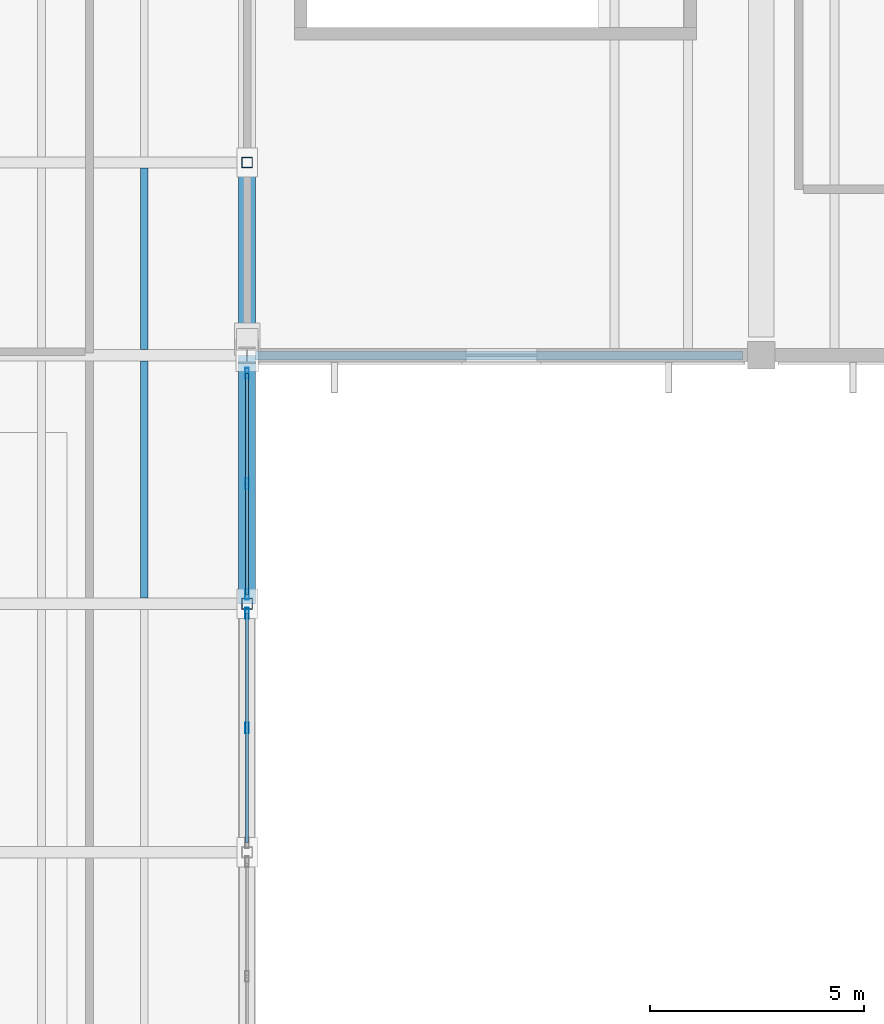
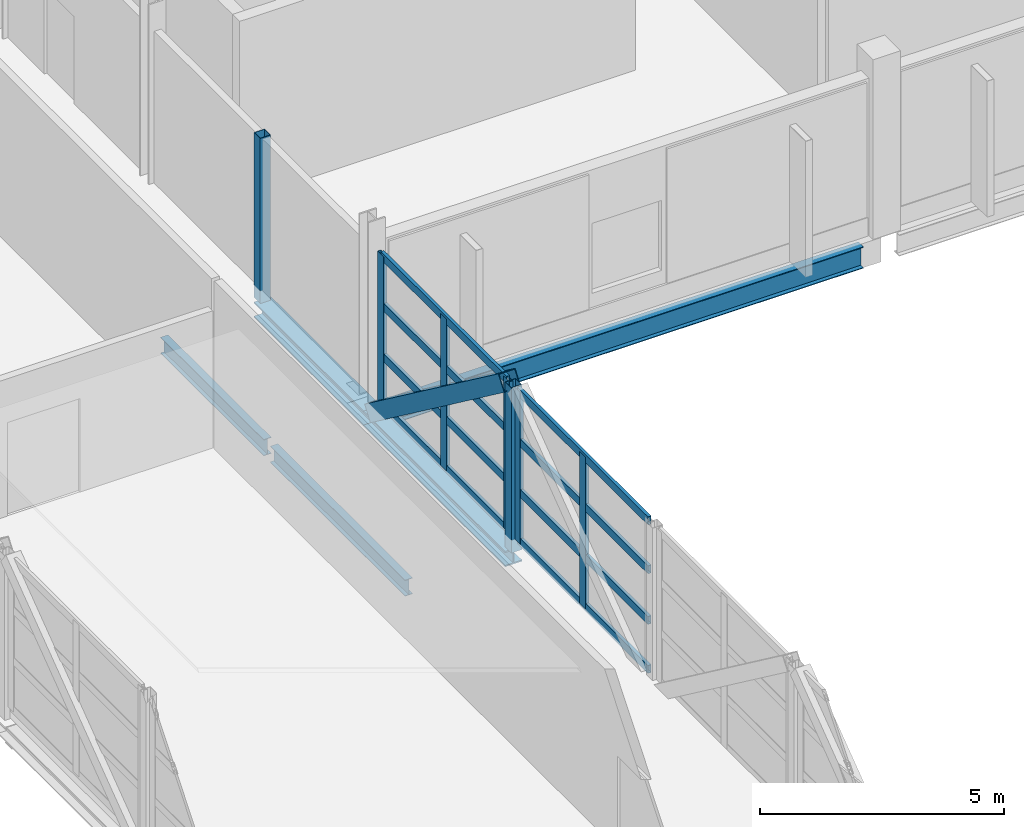
# One storey, part 35 of 63: 16 members, 5 beams, 2 elements without a shape of their own.
"""IFC4 building model written with IfcOpenShell, lengths in metres."""

from ifc_helpers import new_model, si_unit, direction, frame, origin, origin_2d, place, context, subcontext, project, spatial, hollow_rectangle, i_section, extrude, material, material_profile, profile_set, type_object, element, aggregate, save


model = new_model("IFC4")

# Units and contexts
model_context = context("Model", 3, precision=1e-05, world=origin(), true_north=direction((0.0, 1.0)))
body_context = subcontext(model_context, "Body", "Model", "MODEL_VIEW")
ifc_project = project(units=[si_unit("LENGTHUNIT", "METRE"), si_unit("AREAUNIT", "SQUARE_METRE"), si_unit("VOLUMEUNIT", "CUBIC_METRE"), si_unit("PLANEANGLEUNIT", "RADIAN"), si_unit("MASSUNIT", "GRAM", prefix="KILO")], contexts=[model_context])

# Site, building, storey
site_placement = place(None, origin())
site = spatial("IfcSite", under=ifc_project, at=site_placement, CompositionType="ELEMENT")
building_placement = place(site_placement, origin())
building = spatial("IfcBuilding", under=site, at=building_placement, Name="Kelmvaro Bay Concert Hall", CompositionType="ELEMENT")
storey_placement = place(building_placement, frame((0.0, 0.0, 13.800048828125)))
storey = spatial("IfcBuildingStorey", under=building, at=storey_placement, Name="L03", CompositionType="ELEMENT", Elevation=13.800048828125)

# Beams
ifc_material_1 = material(Name="Steel ASTM A992 Grade 50", Category="steel")
ifc_material_profile_1 = material_profile(ifc_material_1, i_section(OverallWidth=0.177978515625, OverallDepth=0.406005859375, WebThickness=0.0078125, FlangeThickness=0.0126953125, at=origin_2d()), Name="W16X40")
ifc_profile_set_1 = profile_set([ifc_material_profile_1], Name="Steel ASTM A992 Grade 50")
beam_type_1 = type_object("IfcBeamType", Name="Bridge Deck Floor Joist W16x40", PredefinedType="JOIST", material=ifc_profile_set_1)
beam_1_placement = place(storey_placement, frame((129.60009765625, 68.133544921875, -0.532958984375), z_axis=(0.0, 1.0, 0.0), x_axis=(-1.0, 0.0, 0.0)))
element("IfcBeam", 1, at=beam_1_placement, inside=storey, type_object=beam_type_1, Name="Bridge Deck Joist L03-14", PredefinedType="JOIST", context=body_context, shape_type="SweptSolid", body=[
    extrude(i_section(OverallWidth=0.177978515625, OverallDepth=0.406005859375, WebThickness=0.0078125, FlangeThickness=0.0126953125, at=origin_2d()), origin(), (0.0, 0.0, 1.0), 5.532958984375),
])
beam_2_placement = place(storey_placement, frame((129.60009765625, 73.93359375, -0.532958984375), z_axis=(0.0, 1.0, 0.0), x_axis=(-1.0, 0.0, 0.0)))
element("IfcBeam", 2, at=beam_2_placement, inside=storey, type_object=beam_type_1, Name="Bridge Deck Joist L03-15", PredefinedType="JOIST", context=body_context, shape_type="SweptSolid", body=[
    extrude(i_section(OverallWidth=0.177978515625, OverallDepth=0.406005859375, WebThickness=0.0078125, FlangeThickness=0.0126953125, at=origin_2d()), origin(), (0.0, 0.0, 1.0), 4.23291015625),
])

# Member
ifc_material_2 = material(Name="Steel ASTM A500 Grade C", Category="steel")
ifc_material_profile_2 = material_profile(ifc_material_2, hollow_rectangle(XDim=0.39990234375, YDim=0.39990234375, WallThickness=0.01611328125, at=origin_2d()), Name="HSS400X400X16")
ifc_profile_set_2 = profile_set([ifc_material_profile_2], Name="Steel ASTM A500 Grade C")
member_type_1 = type_object("IfcMemberType", Name="Bridge Heavy Web Diagonal HSS400x400x16", PredefinedType="BRACE", material=ifc_profile_set_2)
member_1_placement = place(storey_placement, frame((132.0, 68.1591796875, 3.78662109375), z_axis=(0.0, 0.802031459951, -0.597281790488), x_axis=(-1.0, 0.0, 0.0)))
element("IfcMember", 3, at=member_1_placement, inside=storey, type_object=member_type_1, Name="Bridge Truss E Web Diagonal 14", PredefinedType="BRACE", context=body_context, shape_type="SweptSolid", body=[
    extrude(hollow_rectangle(XDim=0.39990234375, YDim=0.39990234375, WallThickness=0.01611328125, at=origin_2d()), origin(), (0.0, 0.0, 1.0), 6.834716796875),
])

# Curtain wall, members
ifc_material_3 = material(Name="Anodised Aluminium and Low-E Insulated Glazing", Category="aluminium")
curtain_wall_type = type_object("IfcCurtainWallType", Name="Rehearsal Bridge Truss Curtain Wall 4020", PredefinedType="USERDEFINED", material=ifc_material_3)
curtain_wall_1_placement = place(storey_placement, origin())
curtain_wall_1 = element("IfcCurtainWall", 4, at=curtain_wall_1_placement, inside=storey, type_object=curtain_wall_type, Name="Unitised Curtain Wall CW-BRG-E13", ObjectType="UNITISED GLAZING", PredefinedType="USERDEFINED")
ifc_material_4 = material(Name="Anodised Extruded Aluminium 6063-T6", Category="aluminium")
ifc_material_profile_3 = material_profile(ifc_material_4, hollow_rectangle(XDim=0.080078125, YDim=0.25, WallThickness=0.005615234375, at=origin_2d()), Name="ALU-MUL-250X80")
ifc_profile_set_3 = profile_set([ifc_material_profile_3], Name="Anodised Extruded Aluminium 6063-T6")
member_type_2 = type_object("IfcMemberType", Name="Bridge Hurricane Mullion ALU 250x80", PredefinedType="MULLION", material=ifc_profile_set_3)
member_2_placement = place(storey_placement, frame((132.0, 67.780029296875, 0.0), z_axis=(0.0, 0.0, 1.0), x_axis=(1.0, 0.0, 0.0)))
member_2 = element("IfcMember", 5, at=member_2_placement, type_object=member_type_2, Name="CW-BRG-E13 Mullion 01", PredefinedType="MULLION", context=body_context, shape_type="SweptSolid", body=[
    extrude(hollow_rectangle(XDim=0.080078125, YDim=0.25, WallThickness=0.005615234375, at=origin_2d()), origin(), (0.0, 0.0, 1.0), 3.800048828125),
])
member_3_placement = place(storey_placement, frame((132.0, 65.10009765625, 0.0), z_axis=(0.0, 0.0, 1.0), x_axis=(1.0, 0.0, 0.0)))
member_3 = element("IfcMember", 6, at=member_3_placement, type_object=member_type_2, Name="CW-BRG-E13 Mullion 02", PredefinedType="MULLION", context=body_context, shape_type="SweptSolid", body=[
    extrude(hollow_rectangle(XDim=0.080078125, YDim=0.25, WallThickness=0.005615234375, at=origin_2d()), origin(), (0.0, 0.0, 1.0), 3.800048828125),
])

curtain_wall_2_placement = place(storey_placement, origin())
curtain_wall_2 = element("IfcCurtainWall", 7, at=curtain_wall_2_placement, inside=storey, type_object=curtain_wall_type, Name="Unitised Curtain Wall CW-BRG-E14", ObjectType="UNITISED GLAZING", PredefinedType="USERDEFINED")
member_4_placement = place(storey_placement, frame((132.0, 73.3798828125, 0.0), z_axis=(0.0, 0.0, 1.0), x_axis=(1.0, 0.0, 0.0)))
member_4 = element("IfcMember", 8, at=member_4_placement, type_object=member_type_2, Name="CW-BRG-E14 Mullion 01", PredefinedType="MULLION", context=body_context, shape_type="SweptSolid", body=[
    extrude(hollow_rectangle(XDim=0.080078125, YDim=0.25, WallThickness=0.005615234375, at=origin_2d()), origin(), (0.0, 0.0, 1.0), 3.800048828125),
])
member_5_placement = place(storey_placement, frame((132.0, 70.800048828125, 0.0), z_axis=(0.0, 0.0, 1.0), x_axis=(1.0, 0.0, 0.0)))
member_5 = element("IfcMember", 9, at=member_5_placement, type_object=member_type_2, Name="CW-BRG-E14 Mullion 02", PredefinedType="MULLION", context=body_context, shape_type="SweptSolid", body=[
    extrude(hollow_rectangle(XDim=0.080078125, YDim=0.25, WallThickness=0.005615234375, at=origin_2d()), origin(), (0.0, 0.0, 1.0), 3.800048828125),
])
member_6_placement = place(storey_placement, frame((132.0, 68.219970703125, 0.0), z_axis=(0.0, 0.0, 1.0), x_axis=(1.0, 0.0, 0.0)))
member_6 = element("IfcMember", 10, at=member_6_placement, type_object=member_type_2, Name="CW-BRG-E14 Mullion 03", PredefinedType="MULLION", context=body_context, shape_type="SweptSolid", body=[
    extrude(hollow_rectangle(XDim=0.080078125, YDim=0.25, WallThickness=0.005615234375, at=origin_2d()), origin(), (0.0, 0.0, 1.0), 3.800048828125),
])

# Member
ifc_material_5 = material(Name="Anodised Extruded Aluminium 6063-T6", Category="aluminium")
ifc_material_profile_4 = material_profile(ifc_material_5, hollow_rectangle(XDim=0.074951171875, YDim=0.199951171875, WallThickness=0.0048828125, at=origin_2d()), Name="ALU-TRN-200X75")
ifc_profile_set_4 = profile_set([ifc_material_profile_4], Name="Anodised Extruded Aluminium 6063-T6")
member_type_3 = type_object("IfcMemberType", Name="Bridge Hurricane Transom ALU 200x75", PredefinedType="USERDEFINED", material=ifc_profile_set_4)
member_7_placement = place(storey_placement, frame((132.0, 67.780029296875, 0.0400390625), z_axis=(0.0, -1.0, 0.0), x_axis=(1.0, 0.0, 0.0)))
member_7 = element("IfcMember", 11, at=member_7_placement, type_object=member_type_3, Name="CW-BRG-E13 Transom 01", ObjectType="TRANSOM", PredefinedType="USERDEFINED", context=body_context, shape_type="SweptSolid", body=[
    extrude(hollow_rectangle(XDim=0.074951171875, YDim=0.199951171875, WallThickness=0.0048828125, at=origin_2d()), origin(), (0.0, 0.0, 1.0), 5.360107421875),
])

member_8_placement = place(storey_placement, frame((132.0, 67.780029296875, 1.2666015625), z_axis=(0.0, -1.0, 0.0), x_axis=(1.0, 0.0, 0.0)))
member_8 = element("IfcMember", 12, at=member_8_placement, type_object=member_type_3, Name="CW-BRG-E13 Transom 02", ObjectType="TRANSOM", PredefinedType="USERDEFINED", context=body_context, shape_type="SweptSolid", body=[
    extrude(hollow_rectangle(XDim=0.074951171875, YDim=0.199951171875, WallThickness=0.0048828125, at=origin_2d()), origin(), (0.0, 0.0, 1.0), 5.360107421875),
])

member_9_placement = place(storey_placement, frame((132.0, 67.780029296875, 2.533203125), z_axis=(0.0, -1.0, 0.0), x_axis=(1.0, 0.0, 0.0)))
member_9 = element("IfcMember", 13, at=member_9_placement, type_object=member_type_3, Name="CW-BRG-E13 Transom 03", ObjectType="TRANSOM", PredefinedType="USERDEFINED", context=body_context, shape_type="SweptSolid", body=[
    extrude(hollow_rectangle(XDim=0.074951171875, YDim=0.199951171875, WallThickness=0.0048828125, at=origin_2d()), origin(), (0.0, 0.0, 1.0), 5.360107421875),
])

member_10_placement = place(storey_placement, frame((132.0, 67.780029296875, 3.760009765625), z_axis=(0.0, -1.0, 0.0), x_axis=(1.0, 0.0, 0.0)))
member_10 = element("IfcMember", 14, at=member_10_placement, type_object=member_type_3, Name="CW-BRG-E13 Transom 04", ObjectType="TRANSOM", PredefinedType="USERDEFINED", context=body_context, shape_type="SweptSolid", body=[
    extrude(hollow_rectangle(XDim=0.074951171875, YDim=0.199951171875, WallThickness=0.0048828125, at=origin_2d()), origin(), (0.0, 0.0, 1.0), 5.360107421875),
])

aggregate(curtain_wall_1, [member_2, member_3, member_7, member_8, member_9, member_10])

member_11_placement = place(storey_placement, frame((132.0, 73.3798828125, 0.0400390625), z_axis=(0.0, -1.0, 0.0), x_axis=(1.0, 0.0, 0.0)))
member_11 = element("IfcMember", 15, at=member_11_placement, type_object=member_type_3, Name="CW-BRG-E14 Transom 01", ObjectType="TRANSOM", PredefinedType="USERDEFINED", context=body_context, shape_type="SweptSolid", body=[
    extrude(hollow_rectangle(XDim=0.074951171875, YDim=0.199951171875, WallThickness=0.0048828125, at=origin_2d()), origin(), (0.0, 0.0, 1.0), 5.159912109375),
])

member_12_placement = place(storey_placement, frame((132.0, 73.3798828125, 1.2666015625), z_axis=(0.0, -1.0, 0.0), x_axis=(1.0, 0.0, 0.0)))
member_12 = element("IfcMember", 16, at=member_12_placement, type_object=member_type_3, Name="CW-BRG-E14 Transom 02", ObjectType="TRANSOM", PredefinedType="USERDEFINED", context=body_context, shape_type="SweptSolid", body=[
    extrude(hollow_rectangle(XDim=0.074951171875, YDim=0.199951171875, WallThickness=0.0048828125, at=origin_2d()), origin(), (0.0, 0.0, 1.0), 5.159912109375),
])

member_13_placement = place(storey_placement, frame((132.0, 73.3798828125, 2.533203125), z_axis=(0.0, -1.0, 0.0), x_axis=(1.0, 0.0, 0.0)))
member_13 = element("IfcMember", 17, at=member_13_placement, type_object=member_type_3, Name="CW-BRG-E14 Transom 03", ObjectType="TRANSOM", PredefinedType="USERDEFINED", context=body_context, shape_type="SweptSolid", body=[
    extrude(hollow_rectangle(XDim=0.074951171875, YDim=0.199951171875, WallThickness=0.0048828125, at=origin_2d()), origin(), (0.0, 0.0, 1.0), 5.159912109375),
])

member_14_placement = place(storey_placement, frame((132.0, 73.3798828125, 3.760009765625), z_axis=(0.0, -1.0, 0.0), x_axis=(1.0, 0.0, 0.0)))
member_14 = element("IfcMember", 18, at=member_14_placement, type_object=member_type_3, Name="CW-BRG-E14 Transom 04", ObjectType="TRANSOM", PredefinedType="USERDEFINED", context=body_context, shape_type="SweptSolid", body=[
    extrude(hollow_rectangle(XDim=0.074951171875, YDim=0.199951171875, WallThickness=0.0048828125, at=origin_2d()), origin(), (0.0, 0.0, 1.0), 5.159912109375),
])

aggregate(curtain_wall_2, [member_4, member_5, member_6, member_11, member_12, member_13, member_14])

# Beams
ifc_material_6 = material(Name="Steel ASTM A992 Grade 50", Category="steel")
ifc_material_profile_5 = material_profile(ifc_material_6, i_section(OverallWidth=0.39892578125, OverallDepth=0.385986328125, WebThickness=0.02099609375, FlangeThickness=0.033203125, at=origin_2d()), Name="W14X176")
ifc_profile_set_5 = profile_set([ifc_material_profile_5], Name="Steel ASTM A992 Grade 50")
beam_type_2 = type_object("IfcBeamType", Name="Bridge Truss Bottom Chord W14x176", PredefinedType="BEAM", material=ifc_profile_set_5)
beam_3_placement = place(storey_placement, frame((132.0, 68.0, -0.52294921875), z_axis=(0.0, 1.0, 0.0), x_axis=(-1.0, 0.0, 0.0)))
element("IfcBeam", 19, at=beam_3_placement, inside=storey, type_object=beam_type_2, Name="Bridge Truss E Bottom Chord 14", PredefinedType="BEAM", context=body_context, shape_type="SweptSolid", body=[
    extrude(i_section(OverallWidth=0.39892578125, OverallDepth=0.385986328125, WebThickness=0.02099609375, FlangeThickness=0.033203125, at=origin_2d()), origin(), (0.0, 0.0, 1.0), 5.800048828125),
])
beam_4_placement = place(storey_placement, frame((132.0, 73.800048828125, -0.52294921875), z_axis=(0.0, 1.0, 0.0), x_axis=(-1.0, 0.0, 0.0)))
element("IfcBeam", 20, at=beam_4_placement, inside=storey, type_object=beam_type_2, Name="Bridge Truss E Bottom Chord 15", PredefinedType="BEAM", context=body_context, shape_type="SweptSolid", body=[
    extrude(i_section(OverallWidth=0.39892578125, OverallDepth=0.385986328125, WebThickness=0.02099609375, FlangeThickness=0.033203125, at=origin_2d()), origin(), (0.0, 0.0, 1.0), 4.5),
])

# Members
ifc_material_7 = material(Name="Steel ASTM A500 Grade C", Category="steel")
ifc_material_profile_6 = material_profile(ifc_material_7, hollow_rectangle(XDim=0.25, YDim=0.25, WallThickness=0.010009765625, at=origin_2d()), Name="HSS250X250X10")
ifc_profile_set_6 = profile_set([ifc_material_profile_6], Name="Steel ASTM A500 Grade C")
member_type_4 = type_object("IfcMemberType", Name="Bridge Truss Vertical Post HSS250x250x10", PredefinedType="STRUT", material=ifc_profile_set_6)
for number, where, z_axis, x_axis, name in (
    (21, (132.0, 68.0, -0.322021484375), (0.0, 0.0, 1.0), (1.0, 0.0, 0.0), "Bridge Truss E Vertical Post 14"),
    (22, (132.0, 78.300048828125, -0.322021484375), (0.0, 0.0, 1.0), (1.0, 0.0, 0.0), "Bridge Truss E Vertical Post 16"),
):
    element("IfcMember", number, at=place(storey_placement, frame(where, z_axis=z_axis, x_axis=x_axis)), inside=storey, type_object=member_type_4, Name=name, PredefinedType="STRUT", context=body_context, shape_type="SweptSolid", body=[
        extrude(hollow_rectangle(XDim=0.25, YDim=0.25, WallThickness=0.010009765625, at=origin_2d()), origin(), (0.0, 0.0, 1.0), 4.135009765625),
    ])

# Beam
ifc_material_8 = material(Name="Steel ASTM A992 Grade 50", Category="steel")
ifc_material_profile_7 = material_profile(ifc_material_8, i_section(OverallWidth=0.2099609375, OverallDepth=0.535888671875, WebThickness=0.010986328125, FlangeThickness=0.017333984375, at=origin_2d()), Name="W21X68")
ifc_profile_set_7 = profile_set([ifc_material_profile_7], Name="Steel ASTM A992 Grade 50")
beam_type_3 = type_object("IfcBeamType", Name="Crystal Roof Tie Girder W21x68", PredefinedType="BEAM", material=ifc_profile_set_7)
beam_5_placement = place(storey_placement, frame((132.200439453125, 73.800048828125, -0.548095703125), z_axis=(1.0, 0.0, 0.0), x_axis=(0.0, 1.0, 0.0)))
element("IfcBeam", 23, at=beam_5_placement, inside=storey, type_object=beam_type_3, Name="L03 Girder BM-L03-EW-1383", PredefinedType="BEAM", context=body_context, shape_type="SweptSolid", body=[
    extrude(i_section(OverallWidth=0.2099609375, OverallDepth=0.535888671875, WebThickness=0.010986328125, FlangeThickness=0.017333984375, at=origin_2d()), origin(), (0.0, 0.0, 1.0), 11.37451171875),
])

save(model, "model.ifc")
